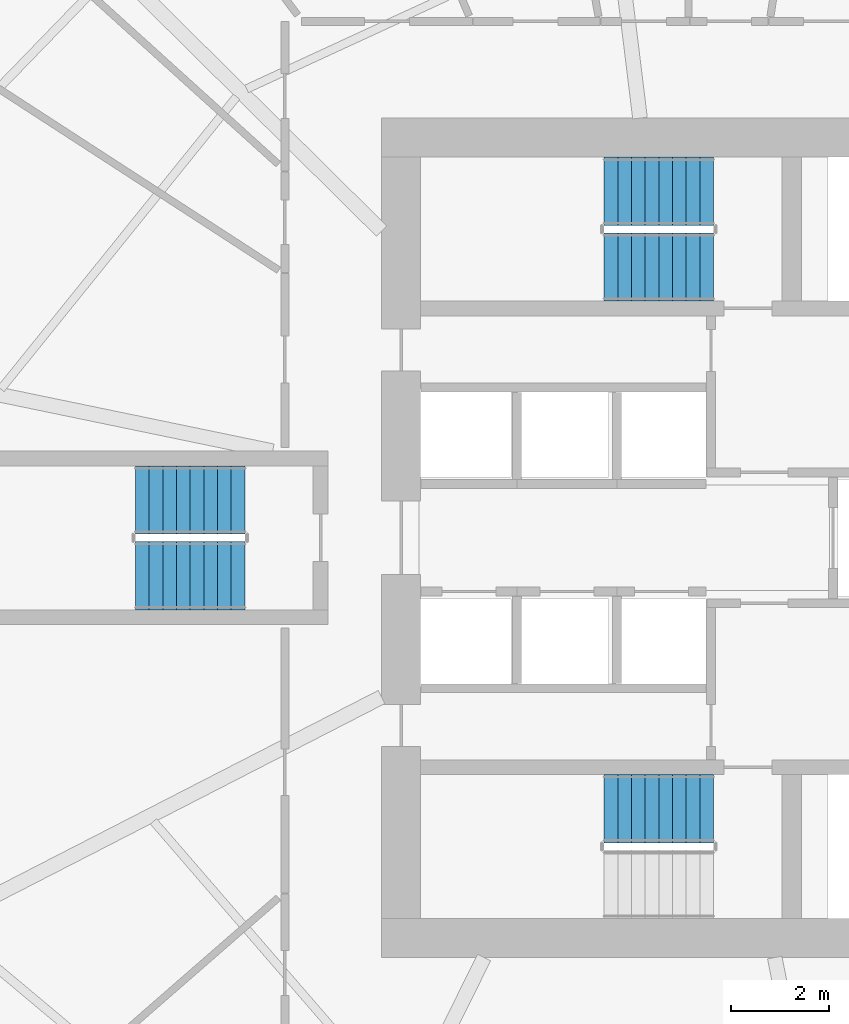
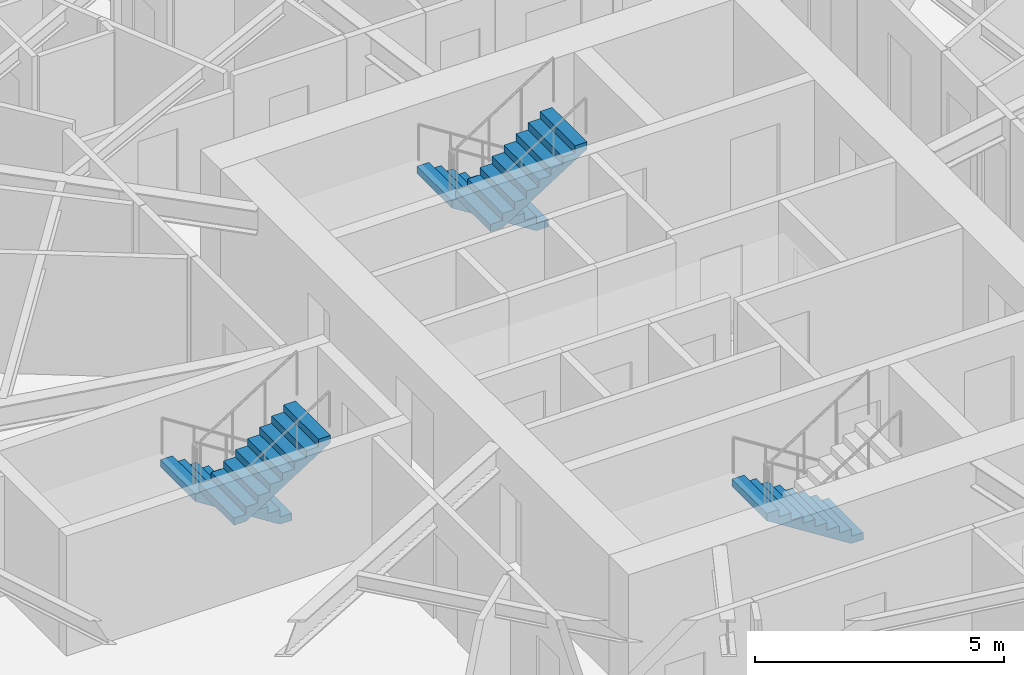
# One storey, part 10 of 14: 5 stair flights, 3 elements without a shape of their own.
"""IFC4 building model written with IfcOpenShell, lengths in metres."""

from ifc_helpers import new_model, si_unit, direction, frame, origin, place, context, subcontext, project, spatial, polyline, outline, extrude, source, transform, mapped, material, type_object, element, aggregate, save


model = new_model("IFC4")

# Units and contexts
model_context = context("Model", 3, precision=1e-05, world=origin(), true_north=direction((0.0, 1.0)))
body_context = subcontext(model_context, "Body", "Model", "MODEL_VIEW")
ifc_project = project(units=[si_unit("LENGTHUNIT", "METRE"), si_unit("AREAUNIT", "SQUARE_METRE"), si_unit("VOLUMEUNIT", "CUBIC_METRE"), si_unit("PLANEANGLEUNIT", "RADIAN"), si_unit("MASSUNIT", "GRAM", prefix="KILO")], contexts=[model_context])

# Site, building, storey
site_placement = place(None, origin())
site = spatial("IfcSite", under=ifc_project, at=site_placement, CompositionType="ELEMENT")
building_placement = place(site_placement, origin())
building = spatial("IfcBuilding", under=site, at=building_placement, Name="Qafzar Sky-Pleat Residences", CompositionType="ELEMENT")
storey_placement = place(building_placement, frame((0.0, 0.0, 39.800048828125)))
storey = spatial("IfcBuildingStorey", under=building, at=storey_placement, Name="L11", CompositionType="ELEMENT", Elevation=39.800048828125)

# Stair, stair flight
ifc_material = material(Name="Concrete C40/50", Category="concrete")
stair_type = type_object("IfcStairType", Name="STAIR-H320", PredefinedType="HALF_TURN_STAIR", material=ifc_material)
stair_1_placement = place(storey_placement, origin())
stair_1 = element("IfcStair", 1, at=stair_1_placement, inside=storey, type_object=stair_type, Name="L11 Protected Exit Stair ST1", PredefinedType="HALF_TURN_STAIR")
stair_flight_type = type_object("IfcStairFlightType", Name="FLIGHT-H320", PredefinedType="STRAIGHT", material=ifc_material)
shared_shape = source(origin(), body_context, "Body", "SweptSolid", [
    extrude(outline(polyline([(0.0, 0.0), (0.0, 0.177734375), (0.280029296875, 0.177734375), (0.280029296875, 0.35546875), (0.56005859375, 0.35546875), (0.56005859375, 0.533447265625), (0.840087890625, 0.533447265625), (0.840087890625, 0.711181640625), (1.1201171875, 0.711181640625), (1.1201171875, 0.888916015625), (1.39990234375, 0.888916015625), (1.39990234375, 1.066650390625), (1.679931640625, 1.066650390625), (1.679931640625, 1.244384765625), (1.9599609375, 1.244384765625), (1.9599609375, 1.422119140625), (2.239990234375, 1.422119140625), (2.239990234375, 1.60009765625), (2.239990234375, 1.24462890625), (0.27978515625, 0.0), (0.0, 0.0)])), frame((0.0, 0.699951171875, 0.0), z_axis=(0.0, -1.0, 0.0), x_axis=(1.0, 0.0, 0.0)), (0.0, 0.0, 1.0), 1.39990234375),
])
stair_flight_1_placement = place(storey_placement, frame((30.800048828125, 20.449951171875, 0.0), z_axis=(0.0, 0.0, 1.0), x_axis=(-1.0, 0.0, 0.0)))
stair_flight_1 = element("IfcStairFlight", 2, at=stair_flight_1_placement, type_object=stair_flight_type, Name="ST1 flight 1", NumberOfRisers=9, NumberOfTreads=8, PredefinedType="STRAIGHT", RiserHeight=0.177777778, TreadLength=0.28, context=body_context, shape_type="MappedRepresentation", body=[
    mapped(shared_shape, transform((0.0, 0.0, 0.0), x_axis=(1.0, 0.0, 0.0), y_axis=(0.0, 1.0, 0.0), z_axis=(0.0, 0.0, 1.0), scale=1.0)),
])
aggregate(stair_1, [stair_flight_1])

# Stair, stair flights
stair_2_placement = place(storey_placement, origin())
stair_2 = element("IfcStair", 3, at=stair_2_placement, inside=storey, type_object=stair_type, Name="L11 Protected Exit Stair ST2", PredefinedType="HALF_TURN_STAIR")
stair_flight_2_placement = place(storey_placement, frame((30.800048828125, 33.10009765625, 0.0), z_axis=(0.0, 0.0, 1.0), x_axis=(-1.0, 0.0, 0.0)))
stair_flight_2 = element("IfcStairFlight", 4, at=stair_flight_2_placement, type_object=stair_flight_type, Name="ST2 flight 1", NumberOfRisers=9, NumberOfTreads=8, PredefinedType="STRAIGHT", RiserHeight=0.177777778, TreadLength=0.28, context=body_context, shape_type="MappedRepresentation", body=[
    mapped(shared_shape, transform((0.0, 0.0, 0.0), x_axis=(1.0, 0.0, 0.0), y_axis=(0.0, 1.0, 0.0), z_axis=(0.0, 0.0, 1.0), scale=1.0)),
])
stair_flight_3_placement = place(storey_placement, frame((28.56005859375, 31.550048828125, 1.599853515625), z_axis=(0.0, 0.0, 1.0), x_axis=(1.0, 0.0, 0.0)))
stair_flight_3 = element("IfcStairFlight", 5, at=stair_flight_3_placement, type_object=stair_flight_type, Name="ST2 flight 2", NumberOfRisers=9, NumberOfTreads=8, PredefinedType="STRAIGHT", RiserHeight=0.177777778, TreadLength=0.28, context=body_context, shape_type="MappedRepresentation", body=[
    mapped(shared_shape, transform((0.0, 0.0, 0.0), x_axis=(1.0, 0.0, 0.0), y_axis=(0.0, 1.0, 0.0), z_axis=(0.0, 0.0, 1.0), scale=1.0)),
])
aggregate(stair_2, [stair_flight_2, stair_flight_3])

stair_3_placement = place(storey_placement, origin())
stair_3 = element("IfcStair", 6, at=stair_3_placement, inside=storey, type_object=stair_type, Name="L11 Protected Exit Stair ST3", PredefinedType="HALF_TURN_STAIR")
stair_flight_4_placement = place(storey_placement, frame((21.199951171875, 26.77490234375, 0.0), z_axis=(0.0, 0.0, 1.0), x_axis=(-1.0, 0.0, 0.0)))
stair_flight_4 = element("IfcStairFlight", 7, at=stair_flight_4_placement, type_object=stair_flight_type, Name="ST3 flight 1", NumberOfRisers=9, NumberOfTreads=8, PredefinedType="STRAIGHT", RiserHeight=0.177777778, TreadLength=0.28, context=body_context, shape_type="MappedRepresentation", body=[
    mapped(shared_shape, transform((0.0, 0.0, 0.0), x_axis=(1.0, 0.0, 0.0), y_axis=(0.0, 1.0, 0.0), z_axis=(0.0, 0.0, 1.0), scale=1.0)),
])
stair_flight_5_placement = place(storey_placement, frame((18.9599609375, 25.22509765625, 1.599853515625), z_axis=(0.0, 0.0, 1.0), x_axis=(1.0, 0.0, 0.0)))
stair_flight_5 = element("IfcStairFlight", 8, at=stair_flight_5_placement, type_object=stair_flight_type, Name="ST3 flight 2", NumberOfRisers=9, NumberOfTreads=8, PredefinedType="STRAIGHT", RiserHeight=0.177777778, TreadLength=0.28, context=body_context, shape_type="MappedRepresentation", body=[
    mapped(shared_shape, transform((0.0, 0.0, 0.0), x_axis=(1.0, 0.0, 0.0), y_axis=(0.0, 1.0, 0.0), z_axis=(0.0, 0.0, 1.0), scale=1.0)),
])
aggregate(stair_3, [stair_flight_4, stair_flight_5])

save(model, "model.ifc")
